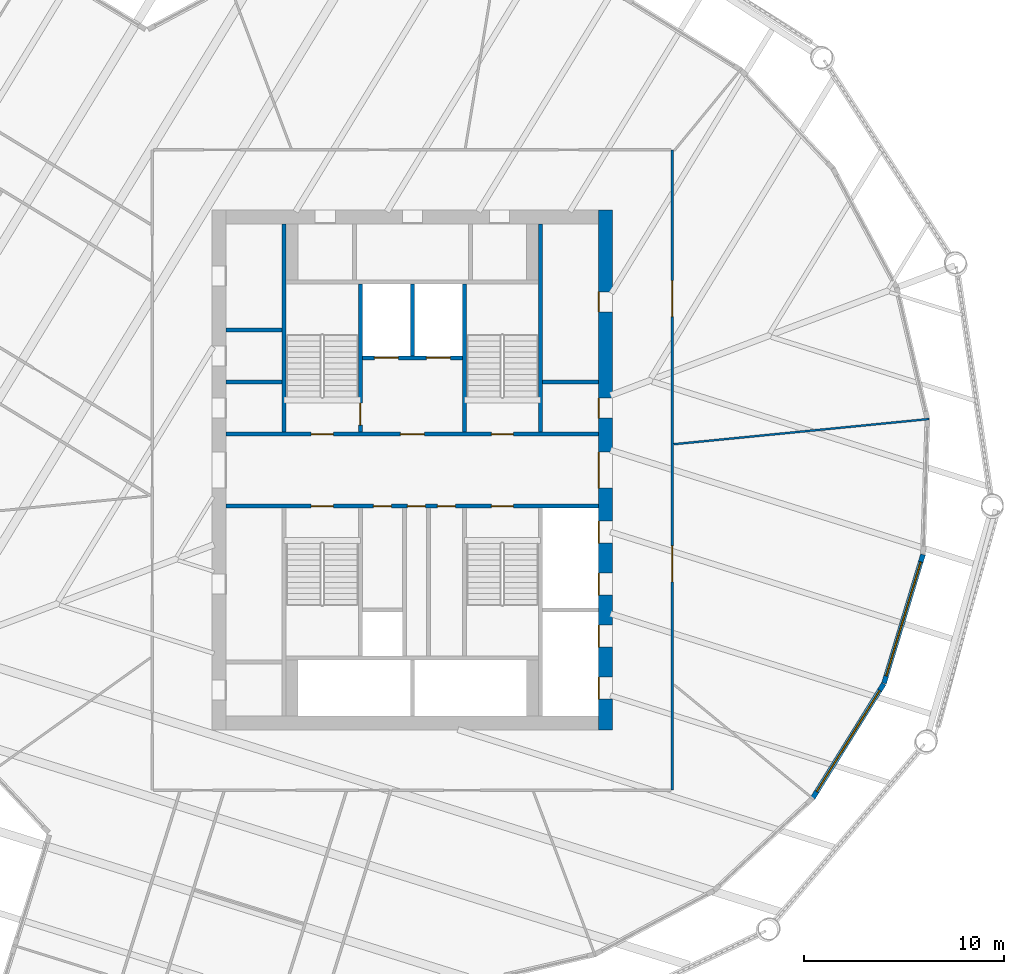
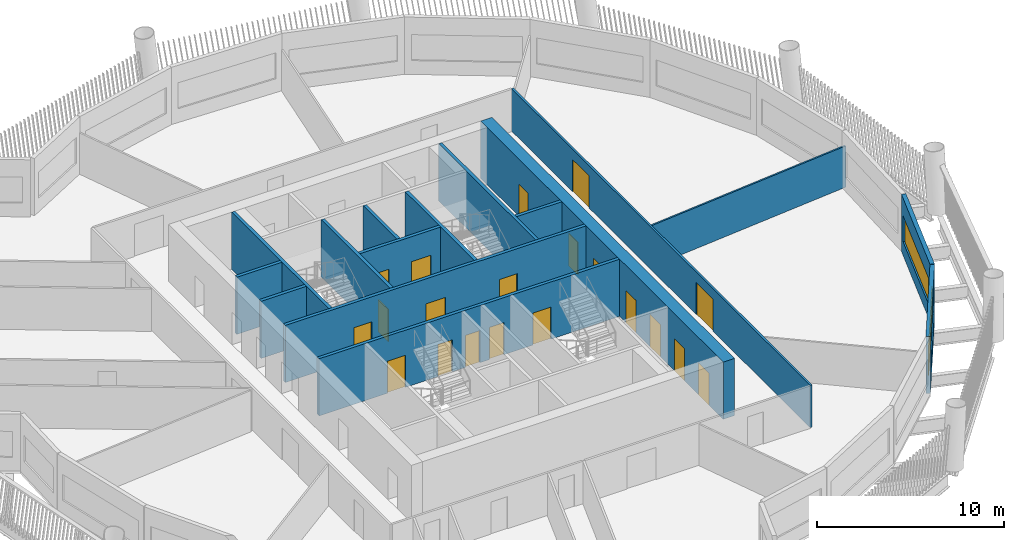
# One storey, part 5 of 15: 20 doors, 16 walls, 2 windows, 22 openings.
"""IFC4 building model written with IfcOpenShell, lengths in metres."""

from ifc_helpers import new_model, si_unit, direction, frame, frame_2d, origin, place, context, subcontext, project, spatial, rectangle, extrude, material, layer, layer_set, type_object, element, fill, save


model = new_model("IFC4")

# Units and contexts
model_context = context("Model", 3, precision=1e-05, world=origin(), true_north=direction((0.0, 1.0)))
body_context = subcontext(model_context, "Body", "Model", "MODEL_VIEW")
ifc_project = project(units=[si_unit("LENGTHUNIT", "METRE"), si_unit("AREAUNIT", "SQUARE_METRE"), si_unit("VOLUMEUNIT", "CUBIC_METRE"), si_unit("PLANEANGLEUNIT", "RADIAN"), si_unit("MASSUNIT", "GRAM", prefix="KILO")], contexts=[model_context])

# Site, building, storey
site_placement = place(None, origin())
site = spatial("IfcSite", under=ifc_project, at=site_placement, CompositionType="ELEMENT")
building_placement = place(site_placement, origin())
building = spatial("IfcBuilding", under=site, at=building_placement, Name="Tarsis Ring Headquarters", CompositionType="ELEMENT")
storey_placement = place(building_placement, frame((0.0, 0.0, 151.5)))
storey = spatial("IfcBuildingStorey", under=building, at=storey_placement, Name="L34", CompositionType="ELEMENT", Elevation=151.5)

# Walls
ifc_material_1 = material(Name="Blockwork", Category="masonry")
ifc_layer_1 = layer(ifc_material_1, 0.199951171875)
ifc_layer_set_1 = layer_set([ifc_layer_1], Name="Core blockwork wall 200")
wall_type_1 = type_object("IfcWallType", Name="Core blockwork wall 200", PredefinedType="PARTITIONING", material=ifc_layer_set_1)
for number, where, z_axis, x_axis, name in (
    (1, (-9.300048828125, 4.39990234375, 0.0), (0.0, 0.0, 1.0), (1.0, 0.0, 0.0), "Core partition WD5"),
    (2, (-9.300048828125, 7.0, 0.0), (0.0, 0.0, 1.0), (1.0, 0.0, 0.0), "Core partition WD6"),
    (3, (6.5, 4.39990234375, 0.0), (0.0, 0.0, 1.0), (1.0, 0.0, 0.0), "Core partition ED5"),
):
    element("IfcWall", number, at=place(storey_placement, frame(where, z_axis=z_axis, x_axis=x_axis)), inside=storey, type_object=wall_type_1, Name=name, PredefinedType="PARTITIONING", context=body_context, shape_type="SweptSolid", body=[
        extrude(rectangle(XDim=2.800048828125, YDim=0.199951171875, at=frame_2d((1.39990234375, 0.0))), origin(), (0.0, 0.0, 1.0), 3.739990234375),
    ])

# Wall, openings, doors
ifc_material_2 = material(Name="Concrete C60/75", Category="concrete")
ifc_layer_2 = layer(ifc_material_2, 0.699951171875)
ifc_layer_set_2 = layer_set([ifc_layer_2], Name="Core wall 700 C60/75")
wall_type_2 = type_object("IfcWallType", Name="Core wall 700 C60/75", PredefinedType="SHEAR", material=ifc_layer_set_2)
wall_1_placement = place(storey_placement, frame((9.64990234375, -13.0, 0.0), z_axis=(0.0, 0.0, 1.0), x_axis=(0.0, 1.0, 0.0)))
wall_1 = element("IfcWall", 4, at=wall_1_placement, inside=storey, type_object=wall_type_2, Name="Core wall OE", PredefinedType="SHEAR", context=body_context, shape_type="SweptSolid", body=[
    extrude(rectangle(XDim=26.0, YDim=0.699951171875, at=frame_2d((13.0, 0.0))), origin(), (0.0, 0.0, 1.0), 3.739990234375),
])
opening_1_placement = place(wall_1_placement, frame((1.550048828125, 0.0, 0.0)))
opening_1 = element("IfcOpeningElement", 5, at=opening_1_placement, cuts=wall_1, Name="Opening LD-MR1", PredefinedType="OPENING", context=body_context, shape_type="SweptSolid", body=[
    extrude(rectangle(XDim=1.10009765625, YDim=2.10009765625, at=frame_2d((0.550048828125, 1.050048828125))), frame((0.0, 0.35986328125, 0.0), z_axis=(0.0, -1.0, 0.0), x_axis=(1.0, 0.0, 0.0)), (0.0, 0.0, 1.0), 0.719970703125),
])
opening_2_placement = place(wall_1_placement, frame((4.14990234375, 0.0, 0.0)))
opening_2 = element("IfcOpeningElement", 6, at=opening_2_placement, cuts=wall_1, Name="Opening LD-MR2", PredefinedType="OPENING", context=body_context, shape_type="SweptSolid", body=[
    extrude(rectangle(XDim=1.10009765625, YDim=2.10009765625, at=frame_2d((0.550048828125, 1.050048828125))), frame((0.0, 0.35986328125, 0.0), z_axis=(0.0, -1.0, 0.0), x_axis=(1.0, 0.0, 0.0)), (0.0, 0.0, 1.0), 0.719970703125),
])
opening_3_placement = place(wall_1_placement, frame((6.75, 0.0, 0.0)))
opening_3 = element("IfcOpeningElement", 7, at=opening_3_placement, cuts=wall_1, Name="Opening LD-MR3", PredefinedType="OPENING", context=body_context, shape_type="SweptSolid", body=[
    extrude(rectangle(XDim=1.10009765625, YDim=2.10009765625, at=frame_2d((0.550048828125, 1.050048828125))), frame((0.0, 0.35986328125, 0.0), z_axis=(0.0, -1.0, 0.0), x_axis=(1.0, 0.0, 0.0)), (0.0, 0.0, 1.0), 0.719970703125),
])
opening_4_placement = place(wall_1_placement, frame((9.35009765625, 0.0, 0.0)))
opening_4 = element("IfcOpeningElement", 8, at=opening_4_placement, cuts=wall_1, Name="Opening LD-MR4", PredefinedType="OPENING", context=body_context, shape_type="SweptSolid", body=[
    extrude(rectangle(XDim=1.10009765625, YDim=2.10009765625, at=frame_2d((0.550048828125, 1.050048828125))), frame((0.0, 0.35986328125, 0.0), z_axis=(0.0, -1.0, 0.0), x_axis=(1.0, 0.0, 0.0)), (0.0, 0.0, 1.0), 0.719970703125),
])
opening_5_placement = place(wall_1_placement, frame((12.10009765625, 0.0, 0.0)))
opening_5 = element("IfcOpeningElement", 9, at=opening_5_placement, cuts=wall_1, Name="Opening L34-C11", PredefinedType="OPENING", context=body_context, shape_type="SweptSolid", body=[
    extrude(rectangle(XDim=1.800048828125, YDim=2.10009765625, at=frame_2d((0.89990234375, 1.050048828125))), frame((0.0, 0.35986328125, 0.0), z_axis=(0.0, -1.0, 0.0), x_axis=(1.0, 0.0, 0.0)), (0.0, 0.0, 1.0), 0.719970703125),
])
opening_6_placement = place(wall_1_placement, frame((15.60009765625, 0.0, 0.0)))
opening_6 = element("IfcOpeningElement", 10, at=opening_6_placement, cuts=wall_1, Name="Opening L34-C12", PredefinedType="OPENING", context=body_context, shape_type="SweptSolid", body=[
    extrude(rectangle(XDim=1.0, YDim=2.10009765625, at=frame_2d((0.5, 1.050048828125))), frame((0.0, 0.35986328125, 0.0), z_axis=(0.0, -1.0, 0.0), x_axis=(1.0, 0.0, 0.0)), (0.0, 0.0, 1.0), 0.719970703125),
])
opening_7_placement = place(wall_1_placement, frame((20.89990234375, 0.0, 0.0)))
opening_7 = element("IfcOpeningElement", 11, at=opening_7_placement, cuts=wall_1, Name="Opening L34-C13", PredefinedType="OPENING", context=body_context, shape_type="SweptSolid", body=[
    extrude(rectangle(XDim=1.0, YDim=2.10009765625, at=frame_2d((0.5, 1.050048828125))), frame((0.0, 0.35986328125, 0.0), z_axis=(0.0, -1.0, 0.0), x_axis=(1.0, 0.0, 0.0)), (0.0, 0.0, 1.0), 0.719970703125),
])
ifc_material_3 = material(Name="Steel S355", Category="steel")
door_type_1 = type_object("IfcDoorType", Name="Core entry door 1800x2100", OperationType="DOUBLE_DOOR_SINGLE_SWING", PredefinedType="DOOR", material=ifc_material_3)
door_1_placement = place(opening_5_placement, origin())
door_1 = element("IfcDoor", 12, at=door_1_placement, inside=storey, type_object=door_type_1, Name="Core entry door L34", OperationType="DOUBLE_DOOR_SINGLE_SWING", OverallHeight=2.10009765625, OverallWidth=1.800048828125, PredefinedType="DOOR", context=body_context, shape_type="SweptSolid", body=[
    extrude(rectangle(XDim=1.800048828125, YDim=2.10009765625, at=frame_2d((0.89990234375, 1.050048828125))), frame((0.0, 0.35009765625, 0.0), z_axis=(0.0, -1.0, 0.0), x_axis=(1.0, 0.0, 0.0)), (0.0, 0.0, 1.0), 0.050048828125),
])
fill(opening_5, door_1)
door_type_2 = type_object("IfcDoorType", Name="Core room door 1000x2100", OperationType="SINGLE_SWING_LEFT", PredefinedType="DOOR", material=ifc_material_3)
door_2_placement = place(opening_6_placement, origin())
door_2 = element("IfcDoor", 13, at=door_2_placement, inside=storey, type_object=door_type_2, Name="Core room door L34", OperationType="SINGLE_SWING_LEFT", OverallHeight=2.10009765625, OverallWidth=1.0, PredefinedType="DOOR", context=body_context, shape_type="SweptSolid", body=[
    extrude(rectangle(XDim=1.0, YDim=2.10009765625, at=frame_2d((0.5, 1.050048828125))), frame((0.0, 0.35009765625, 0.0), z_axis=(0.0, -1.0, 0.0), x_axis=(1.0, 0.0, 0.0)), (0.0, 0.0, 1.0), 0.050048828125),
])
fill(opening_6, door_2)
door_3_placement = place(opening_7_placement, origin())
door_3 = element("IfcDoor", 14, at=door_3_placement, inside=storey, type_object=door_type_2, Name="Core room door L34", OperationType="SINGLE_SWING_LEFT", OverallHeight=2.10009765625, OverallWidth=1.0, PredefinedType="DOOR", context=body_context, shape_type="SweptSolid", body=[
    extrude(rectangle(XDim=1.0, YDim=2.10009765625, at=frame_2d((0.5, 1.050048828125))), frame((0.0, 0.35009765625, 0.0), z_axis=(0.0, -1.0, 0.0), x_axis=(1.0, 0.0, 0.0)), (0.0, 0.0, 1.0), 0.050048828125),
])
fill(opening_7, door_3)
door_type_3 = type_object("IfcDoorType", Name="Landing door 1100x2100", OperationType="SLIDING_TO_LEFT", PredefinedType="DOOR", material=ifc_material_3)
door_4_placement = place(opening_1_placement, origin())
door_4 = element("IfcDoor", 15, at=door_4_placement, inside=storey, type_object=door_type_3, Name="Landing door MR1 L34", OperationType="SLIDING_TO_LEFT", OverallHeight=2.10009765625, OverallWidth=1.10009765625, PredefinedType="DOOR", context=body_context, shape_type="SweptSolid", body=[
    extrude(rectangle(XDim=1.10009765625, YDim=2.10009765625, at=frame_2d((0.550048828125, 1.050048828125))), frame((0.0, 0.35009765625, 0.0), z_axis=(0.0, -1.0, 0.0), x_axis=(1.0, 0.0, 0.0)), (0.0, 0.0, 1.0), 0.050048828125),
])
fill(opening_1, door_4)
door_5_placement = place(opening_2_placement, origin())
door_5 = element("IfcDoor", 16, at=door_5_placement, inside=storey, type_object=door_type_3, Name="Landing door MR2 L34", OperationType="SLIDING_TO_LEFT", OverallHeight=2.10009765625, OverallWidth=1.10009765625, PredefinedType="DOOR", context=body_context, shape_type="SweptSolid", body=[
    extrude(rectangle(XDim=1.10009765625, YDim=2.10009765625, at=frame_2d((0.550048828125, 1.050048828125))), frame((0.0, 0.35009765625, 0.0), z_axis=(0.0, -1.0, 0.0), x_axis=(1.0, 0.0, 0.0)), (0.0, 0.0, 1.0), 0.050048828125),
])
fill(opening_2, door_5)
door_6_placement = place(opening_3_placement, origin())
door_6 = element("IfcDoor", 17, at=door_6_placement, inside=storey, type_object=door_type_3, Name="Landing door MR3 L34", OperationType="SLIDING_TO_LEFT", OverallHeight=2.10009765625, OverallWidth=1.10009765625, PredefinedType="DOOR", context=body_context, shape_type="SweptSolid", body=[
    extrude(rectangle(XDim=1.10009765625, YDim=2.10009765625, at=frame_2d((0.550048828125, 1.050048828125))), frame((0.0, 0.35009765625, 0.0), z_axis=(0.0, -1.0, 0.0), x_axis=(1.0, 0.0, 0.0)), (0.0, 0.0, 1.0), 0.050048828125),
])
fill(opening_3, door_6)
door_7_placement = place(opening_4_placement, origin())
door_7 = element("IfcDoor", 18, at=door_7_placement, inside=storey, type_object=door_type_3, Name="Landing door MR4 L34", OperationType="SLIDING_TO_LEFT", OverallHeight=2.10009765625, OverallWidth=1.10009765625, PredefinedType="DOOR", context=body_context, shape_type="SweptSolid", body=[
    extrude(rectangle(XDim=1.10009765625, YDim=2.10009765625, at=frame_2d((0.550048828125, 1.050048828125))), frame((0.0, 0.35009765625, 0.0), z_axis=(0.0, -1.0, 0.0), x_axis=(1.0, 0.0, 0.0)), (0.0, 0.0, 1.0), 0.050048828125),
])
fill(opening_4, door_7)

# Wall
ifc_material_4 = material(Name="Gypsum board on steel studs", Category="steel")
ifc_layer_3 = layer(ifc_material_4, 0.10009765625)
ifc_layer_set_3 = layer_set([ifc_layer_3], Name="FL partition 100 unrated")
wall_type_3 = type_object("IfcWallType", Name="FL partition 100 unrated", PredefinedType="PARTITIONING", material=ifc_layer_set_3)
wall_2_placement = place(storey_placement, frame((13.069580078125, 1.290771484375, 0.0), z_axis=(0.0, 0.0, 1.0), x_axis=(0.995159975555, 0.098268118195, 0.0)))
element("IfcWall", 19, at=wall_2_placement, inside=storey, type_object=wall_type_3, Name="Partition PW3", PredefinedType="PARTITIONING", context=body_context, shape_type="SweptSolid", body=[
    extrude(rectangle(XDim=12.814697265625, YDim=0.10009765625, at=frame_2d((6.4072265625, 0.0))), origin(), (0.0, 0.0, 1.0), 2.699951171875),
])

# Wall, openings, doors
ifc_layer_4 = layer(ifc_material_4, 0.125)
ifc_layer_set_4 = layer_set([ifc_layer_4], Name="FL partition 125 EI 60 H2770")
wall_type_4 = type_object("IfcWallType", Name="FL partition 125 EI 60 H2770", PredefinedType="PARTITIONING", material=ifc_layer_set_4)
wall_3_placement = place(storey_placement, frame((13.0, -16.0, 0.0), z_axis=(0.0, 0.0, 1.0), x_axis=(0.0, 1.0, 0.0)))
wall_3 = element("IfcWall", 20, at=wall_3_placement, inside=storey, type_object=wall_type_4, Name="Partition PW1", PredefinedType="PARTITIONING", context=body_context, shape_type="SweptSolid", body=[
    extrude(rectangle(XDim=32.0, YDim=0.125, at=frame_2d((16.0, 0.0))), origin(), (0.0, 0.0, 1.0), 2.77001953125),
])
opening_8_placement = place(wall_3_placement, frame((23.66650390625, 0.0, 0.0)))
opening_8 = element("IfcOpeningElement", 21, at=opening_8_placement, cuts=wall_3, Name="Opening D34.06", PredefinedType="OPENING", context=body_context, shape_type="SweptSolid", body=[
    extrude(rectangle(XDim=1.800048828125, YDim=2.10009765625, at=frame_2d((0.89990234375, 1.050048828125))), frame((0.0, 0.072509765625, 0.0), z_axis=(0.0, -1.0, 0.0), x_axis=(1.0, 0.0, 0.0)), (0.0, 0.0, 1.0), 0.14501953125),
])
opening_9_placement = place(wall_3_placement, frame((10.410400390625, 0.0, 0.0)))
opening_9 = element("IfcOpeningElement", 22, at=opening_9_placement, cuts=wall_3, Name="Opening D34.07", PredefinedType="OPENING", context=body_context, shape_type="SweptSolid", body=[
    extrude(rectangle(XDim=1.800048828125, YDim=2.10009765625, at=frame_2d((0.89990234375, 1.050048828125))), frame((0.0, 0.072509765625, 0.0), z_axis=(0.0, -1.0, 0.0), x_axis=(1.0, 0.0, 0.0)), (0.0, 0.0, 1.0), 0.14501953125),
])
ifc_material_5 = material(Name="Fire-rated timber door leaf in steel frame", Category="steel")
door_type_4 = type_object("IfcDoorType", Name="FL door FD60-1800", OperationType="DOUBLE_DOOR_SINGLE_SWING", PredefinedType="DOOR", material=ifc_material_5)
door_8_placement = place(opening_8_placement, origin())
door_8 = element("IfcDoor", 23, at=door_8_placement, inside=storey, type_object=door_type_4, Name="Door D34.06", OperationType="DOUBLE_DOOR_SINGLE_SWING", OverallHeight=2.10009765625, OverallWidth=1.800048828125, PredefinedType="DOOR", context=body_context, shape_type="SweptSolid", body=[
    extrude(rectangle(XDim=1.800048828125, YDim=2.10009765625, at=frame_2d((0.89990234375, 1.050048828125))), frame((0.0, 0.02490234375, 0.0), z_axis=(0.0, -1.0, 0.0), x_axis=(1.0, 0.0, 0.0)), (0.0, 0.0, 1.0), 0.050048828125),
])
fill(opening_8, door_8)
door_9_placement = place(opening_9_placement, origin())
door_9 = element("IfcDoor", 24, at=door_9_placement, inside=storey, type_object=door_type_4, Name="Door D34.07", OperationType="DOUBLE_DOOR_SINGLE_SWING", OverallHeight=2.10009765625, OverallWidth=1.800048828125, PredefinedType="DOOR", context=body_context, shape_type="SweptSolid", body=[
    extrude(rectangle(XDim=1.800048828125, YDim=2.10009765625, at=frame_2d((0.89990234375, 1.050048828125))), frame((0.0, 0.02490234375, 0.0), z_axis=(0.0, -1.0, 0.0), x_axis=(1.0, 0.0, 0.0)), (0.0, 0.0, 1.0), 0.050048828125),
])
fill(opening_9, door_9)

# Wall, opening, window
ifc_material_6 = material(Name="Terracotta clad insulated panel wall", Category="masonry")
ifc_layer_5 = layer(ifc_material_6, 0.25)
ifc_layer_set_5 = layer_set([ifc_layer_5], Name="Facade wall terracotta panel 250")
wall_type_5 = type_object("IfcWallType", Name="Facade wall terracotta panel 250", PredefinedType="STANDARD", material=ifc_layer_set_5)
wall_4_placement = place(storey_placement, frame((20.013916015625, -16.39501953125, 0.0), z_axis=(0.0, 0.0, 1.0), x_axis=(0.527829323363, 0.849350460881, 0.0)))
wall_4 = element("IfcWall", 25, at=wall_4_placement, inside=storey, type_object=wall_type_5, Name="External wall L34-20", PredefinedType="STANDARD", context=body_context, shape_type="SweptSolid", body=[
    extrude(rectangle(XDim=6.7216796875, YDim=0.25, at=frame_2d((3.36083984375, 0.0))), origin(), (0.0, 0.0, 1.0), 3.739990234375),
])
opening_10_placement = place(wall_4_placement, frame((0.3857421875, 0.0, 0.89990234375)))
opening_10 = element("IfcOpeningElement", 26, at=opening_10_placement, cuts=wall_4, Name="Opening WN07", PredefinedType="OPENING", context=body_context, shape_type="SweptSolid", body=[
    extrude(rectangle(XDim=5.949951171875, YDim=1.699951171875, at=frame_2d((2.97509765625, 0.85009765625))), frame((0.0, 0.135009765625, 0.0), z_axis=(0.0, -1.0, 0.0), x_axis=(1.0, 0.0, 0.0)), (0.0, 0.0, 1.0), 0.27001953125),
])
ifc_material_7 = material(Name="Aluminium framed double glazing", Category="aluminium")
window_type = type_object("IfcWindowType", Name="Facade window 5950 x 1700", PartitioningType="SINGLE_PANEL", PredefinedType="WINDOW", material=ifc_material_7)
window_1_placement = place(opening_10_placement, origin())
window_1 = element("IfcWindow", 27, at=window_1_placement, inside=storey, type_object=window_type, Name="Window L34-20.1", OverallHeight=1.699951171875, OverallWidth=5.949951171875, PartitioningType="SINGLE_PANEL", PredefinedType="WINDOW", context=body_context, shape_type="SweptSolid", body=[
    extrude(rectangle(XDim=5.949951171875, YDim=1.699951171875, at=frame_2d((2.97509765625, 0.85009765625))), frame((0.0, 0.030029296875, 0.0), z_axis=(0.0, -1.0, 0.0), x_axis=(1.0, 0.0, 0.0)), (0.0, 0.0, 1.0), 0.06005859375),
])
fill(opening_10, window_1)

wall_5_placement = place(storey_placement, frame((23.5751953125, -10.656494140625, 0.0), z_axis=(0.0, 0.0, 1.0), x_axis=(0.290032597703, 0.957016766974, 0.0)))
wall_5 = element("IfcWall", 28, at=wall_5_placement, inside=storey, type_object=wall_type_5, Name="External wall L34-21", PredefinedType="STANDARD", context=body_context, shape_type="SweptSolid", body=[
    extrude(rectangle(XDim=6.721435546875, YDim=0.25, at=frame_2d((3.36083984375, 0.0))), origin(), (0.0, 0.0, 1.0), 3.739990234375),
])
opening_11_placement = place(wall_5_placement, frame((0.3857421875, 0.0, 0.89990234375)))
opening_11 = element("IfcOpeningElement", 29, at=opening_11_placement, cuts=wall_5, Name="Opening WN07", PredefinedType="OPENING", context=body_context, shape_type="SweptSolid", body=[
    extrude(rectangle(XDim=5.949951171875, YDim=1.699951171875, at=frame_2d((2.97509765625, 0.85009765625))), frame((0.0, 0.135009765625, 0.0), z_axis=(0.0, -1.0, 0.0), x_axis=(1.0, 0.0, 0.0)), (0.0, 0.0, 1.0), 0.27001953125),
])
window_2_placement = place(opening_11_placement, origin())
window_2 = element("IfcWindow", 30, at=window_2_placement, inside=storey, type_object=window_type, Name="Window L34-21.1", OverallHeight=1.699951171875, OverallWidth=5.949951171875, PartitioningType="SINGLE_PANEL", PredefinedType="WINDOW", context=body_context, shape_type="SweptSolid", body=[
    extrude(rectangle(XDim=5.949951171875, YDim=1.699951171875, at=frame_2d((2.97509765625, 0.85009765625))), frame((0.0, 0.030029296875, 0.0), z_axis=(0.0, -1.0, 0.0), x_axis=(1.0, 0.0, 0.0)), (0.0, 0.0, 1.0), 0.06005859375),
])
fill(opening_11, window_2)

# Wall, openings, doors
ifc_material_8 = material(Name="Concrete C32/40", Category="concrete")
ifc_layer_6 = layer(ifc_material_8, 0.199951171875)
ifc_layer_set_6 = layer_set([ifc_layer_6], Name="Shaft wall 200 C32/40")
wall_type_6 = type_object("IfcWallType", Name="Shaft wall 200 C32/40", PredefinedType="SOLIDWALL", material=ifc_layer_set_6)
wall_6_placement = place(storey_placement, frame((-9.300048828125, 1.800048828125, 0.0), z_axis=(0.0, 0.0, 1.0), x_axis=(1.0, 0.0, 0.0)))
wall_6 = element("IfcWall", 31, at=wall_6_placement, inside=storey, type_object=wall_type_6, Name="Core shaft wall CN", PredefinedType="SOLIDWALL", context=body_context, shape_type="SweptSolid", body=[
    extrude(rectangle(XDim=18.60009765625, YDim=0.199951171875, at=frame_2d((9.300048828125, 0.0))), origin(), (0.0, 0.0, 1.0), 3.739990234375),
])
opening_12_placement = place(wall_6_placement, frame((4.25, 0.0, 0.0)))
opening_12 = element("IfcOpeningElement", 32, at=opening_12_placement, cuts=wall_6, Name="Opening L34-C17", PredefinedType="OPENING", context=body_context, shape_type="SweptSolid", body=[
    extrude(rectangle(XDim=1.10009765625, YDim=2.10009765625, at=frame_2d((0.550048828125, 1.050048828125))), frame((0.0, 0.10986328125, 0.0), z_axis=(0.0, -1.0, 0.0), x_axis=(1.0, 0.0, 0.0)), (0.0, 0.0, 1.0), 0.219970703125),
])
opening_13_placement = place(wall_6_placement, frame((8.699951171875, 0.0, 0.0)))
opening_13 = element("IfcOpeningElement", 33, at=opening_13_placement, cuts=wall_6, Name="Opening L34-C18", PredefinedType="OPENING", context=body_context, shape_type="SweptSolid", body=[
    extrude(rectangle(XDim=1.199951171875, YDim=2.10009765625, at=frame_2d((0.60009765625, 1.050048828125))), frame((0.0, 0.10986328125, 0.0), z_axis=(0.0, -1.0, 0.0), x_axis=(1.0, 0.0, 0.0)), (0.0, 0.0, 1.0), 0.219970703125),
])
opening_14_placement = place(wall_6_placement, frame((13.25, 0.0, 0.0)))
opening_14 = element("IfcOpeningElement", 34, at=opening_14_placement, cuts=wall_6, Name="Opening L34-C19", PredefinedType="OPENING", context=body_context, shape_type="SweptSolid", body=[
    extrude(rectangle(XDim=1.10009765625, YDim=2.10009765625, at=frame_2d((0.550048828125, 1.050048828125))), frame((0.0, 0.10986328125, 0.0), z_axis=(0.0, -1.0, 0.0), x_axis=(1.0, 0.0, 0.0)), (0.0, 0.0, 1.0), 0.219970703125),
])
door_type_5 = type_object("IfcDoorType", Name="Firefighting lobby door 1200x2100", OperationType="DOUBLE_DOOR_SINGLE_SWING", PredefinedType="DOOR", material=ifc_material_3)
door_10_placement = place(opening_13_placement, origin())
door_10 = element("IfcDoor", 35, at=door_10_placement, inside=storey, type_object=door_type_5, Name="Firefighting lobby door L34", OperationType="DOUBLE_DOOR_SINGLE_SWING", OverallHeight=2.10009765625, OverallWidth=1.199951171875, PredefinedType="DOOR", context=body_context, shape_type="SweptSolid", body=[
    extrude(rectangle(XDim=1.199951171875, YDim=2.10009765625, at=frame_2d((0.60009765625, 1.050048828125))), frame((0.0, 0.02490234375, 0.0), z_axis=(0.0, -1.0, 0.0), x_axis=(1.0, 0.0, 0.0)), (0.0, 0.0, 1.0), 0.050048828125),
])
fill(opening_13, door_10)
door_type_6 = type_object("IfcDoorType", Name="Stair door 1100x2100", OperationType="SINGLE_SWING_LEFT", PredefinedType="DOOR", material=ifc_material_3)
door_11_placement = place(opening_12_placement, origin())
door_11 = element("IfcDoor", 36, at=door_11_placement, inside=storey, type_object=door_type_6, Name="Stair door L34", OperationType="SINGLE_SWING_LEFT", OverallHeight=2.10009765625, OverallWidth=1.10009765625, PredefinedType="DOOR", context=body_context, shape_type="SweptSolid", body=[
    extrude(rectangle(XDim=1.10009765625, YDim=2.10009765625, at=frame_2d((0.550048828125, 1.050048828125))), frame((0.0, 0.02490234375, 0.0), z_axis=(0.0, -1.0, 0.0), x_axis=(1.0, 0.0, 0.0)), (0.0, 0.0, 1.0), 0.050048828125),
])
fill(opening_12, door_11)
door_12_placement = place(opening_14_placement, origin())
door_12 = element("IfcDoor", 37, at=door_12_placement, inside=storey, type_object=door_type_6, Name="Stair door L34", OperationType="SINGLE_SWING_LEFT", OverallHeight=2.10009765625, OverallWidth=1.10009765625, PredefinedType="DOOR", context=body_context, shape_type="SweptSolid", body=[
    extrude(rectangle(XDim=1.10009765625, YDim=2.10009765625, at=frame_2d((0.550048828125, 1.050048828125))), frame((0.0, 0.02490234375, 0.0), z_axis=(0.0, -1.0, 0.0), x_axis=(1.0, 0.0, 0.0)), (0.0, 0.0, 1.0), 0.050048828125),
])
fill(opening_14, door_12)

wall_7_placement = place(storey_placement, frame((-9.300048828125, -1.800048828125, 0.0), z_axis=(0.0, 0.0, 1.0), x_axis=(1.0, 0.0, 0.0)))
wall_7 = element("IfcWall", 38, at=wall_7_placement, inside=storey, type_object=wall_type_6, Name="Core shaft wall CS", PredefinedType="SOLIDWALL", context=body_context, shape_type="SweptSolid", body=[
    extrude(rectangle(XDim=18.60009765625, YDim=0.199951171875, at=frame_2d((9.300048828125, 0.0))), origin(), (0.0, 0.0, 1.0), 3.739990234375),
])
opening_15_placement = place(wall_7_placement, frame((4.25, 0.0, 0.0)))
opening_15 = element("IfcOpeningElement", 39, at=opening_15_placement, cuts=wall_7, Name="Opening L34-C20", PredefinedType="OPENING", context=body_context, shape_type="SweptSolid", body=[
    extrude(rectangle(XDim=1.10009765625, YDim=2.10009765625, at=frame_2d((0.550048828125, 1.050048828125))), frame((0.0, 0.10986328125, 0.0), z_axis=(0.0, -1.0, 0.0), x_axis=(1.0, 0.0, 0.0)), (0.0, 0.0, 1.0), 0.219970703125),
])
opening_16_placement = place(wall_7_placement, frame((7.35009765625, 0.0, 0.0)))
opening_16 = element("IfcOpeningElement", 40, at=opening_16_placement, cuts=wall_7, Name="Opening L34-C21", PredefinedType="OPENING", context=body_context, shape_type="SweptSolid", body=[
    extrude(rectangle(XDim=0.89990234375, YDim=2.10009765625, at=frame_2d((0.449951171875, 1.050048828125))), frame((0.0, 0.10986328125, 0.0), z_axis=(0.0, -1.0, 0.0), x_axis=(1.0, 0.0, 0.0)), (0.0, 0.0, 1.0), 0.219970703125),
])
opening_17_placement = place(wall_7_placement, frame((9.050048828125, 0.0, 0.0)))
opening_17 = element("IfcOpeningElement", 41, at=opening_17_placement, cuts=wall_7, Name="Opening L34-C22", PredefinedType="OPENING", context=body_context, shape_type="SweptSolid", body=[
    extrude(rectangle(XDim=0.89990234375, YDim=2.10009765625, at=frame_2d((0.449951171875, 1.050048828125))), frame((0.0, 0.10986328125, 0.0), z_axis=(0.0, -1.0, 0.0), x_axis=(1.0, 0.0, 0.0)), (0.0, 0.0, 1.0), 0.219970703125),
])
opening_18_placement = place(wall_7_placement, frame((10.550048828125, 0.0, 0.0)))
opening_18 = element("IfcOpeningElement", 42, at=opening_18_placement, cuts=wall_7, Name="Opening L34-C23", PredefinedType="OPENING", context=body_context, shape_type="SweptSolid", body=[
    extrude(rectangle(XDim=0.89990234375, YDim=2.10009765625, at=frame_2d((0.449951171875, 1.050048828125))), frame((0.0, 0.10986328125, 0.0), z_axis=(0.0, -1.0, 0.0), x_axis=(1.0, 0.0, 0.0)), (0.0, 0.0, 1.0), 0.219970703125),
])
opening_19_placement = place(wall_7_placement, frame((13.25, 0.0, 0.0)))
opening_19 = element("IfcOpeningElement", 43, at=opening_19_placement, cuts=wall_7, Name="Opening L34-C24", PredefinedType="OPENING", context=body_context, shape_type="SweptSolid", body=[
    extrude(rectangle(XDim=1.10009765625, YDim=2.10009765625, at=frame_2d((0.550048828125, 1.050048828125))), frame((0.0, 0.10986328125, 0.0), z_axis=(0.0, -1.0, 0.0), x_axis=(1.0, 0.0, 0.0)), (0.0, 0.0, 1.0), 0.219970703125),
])
door_13_placement = place(opening_15_placement, origin())
door_13 = element("IfcDoor", 44, at=door_13_placement, inside=storey, type_object=door_type_6, Name="Stair door L34", OperationType="SINGLE_SWING_LEFT", OverallHeight=2.10009765625, OverallWidth=1.10009765625, PredefinedType="DOOR", context=body_context, shape_type="SweptSolid", body=[
    extrude(rectangle(XDim=1.10009765625, YDim=2.10009765625, at=frame_2d((0.550048828125, 1.050048828125))), frame((0.0, 0.02490234375, 0.0), z_axis=(0.0, -1.0, 0.0), x_axis=(1.0, 0.0, 0.0)), (0.0, 0.0, 1.0), 0.050048828125),
])
fill(opening_15, door_13)
door_14_placement = place(opening_19_placement, origin())
door_14 = element("IfcDoor", 45, at=door_14_placement, inside=storey, type_object=door_type_6, Name="Stair door L34", OperationType="SINGLE_SWING_LEFT", OverallHeight=2.10009765625, OverallWidth=1.10009765625, PredefinedType="DOOR", context=body_context, shape_type="SweptSolid", body=[
    extrude(rectangle(XDim=1.10009765625, YDim=2.10009765625, at=frame_2d((0.550048828125, 1.050048828125))), frame((0.0, 0.02490234375, 0.0), z_axis=(0.0, -1.0, 0.0), x_axis=(1.0, 0.0, 0.0)), (0.0, 0.0, 1.0), 0.050048828125),
])
fill(opening_19, door_14)
door_type_7 = type_object("IfcDoorType", Name="WC door 900x2100", OperationType="SINGLE_SWING_LEFT", PredefinedType="DOOR", material=ifc_material_3)
door_15_placement = place(opening_16_placement, origin())
door_15 = element("IfcDoor", 46, at=door_15_placement, inside=storey, type_object=door_type_7, Name="WC door L34", OperationType="SINGLE_SWING_LEFT", OverallHeight=2.10009765625, OverallWidth=0.89990234375, PredefinedType="DOOR", context=body_context, shape_type="SweptSolid", body=[
    extrude(rectangle(XDim=0.89990234375, YDim=2.10009765625, at=frame_2d((0.449951171875, 1.050048828125))), frame((0.0, 0.02490234375, 0.0), z_axis=(0.0, -1.0, 0.0), x_axis=(1.0, 0.0, 0.0)), (0.0, 0.0, 1.0), 0.050048828125),
])
fill(opening_16, door_15)
door_16_placement = place(opening_17_placement, origin())
door_16 = element("IfcDoor", 47, at=door_16_placement, inside=storey, type_object=door_type_7, Name="WC door L34", OperationType="SINGLE_SWING_LEFT", OverallHeight=2.10009765625, OverallWidth=0.89990234375, PredefinedType="DOOR", context=body_context, shape_type="SweptSolid", body=[
    extrude(rectangle(XDim=0.89990234375, YDim=2.10009765625, at=frame_2d((0.449951171875, 1.050048828125))), frame((0.0, 0.02490234375, 0.0), z_axis=(0.0, -1.0, 0.0), x_axis=(1.0, 0.0, 0.0)), (0.0, 0.0, 1.0), 0.050048828125),
])
fill(opening_17, door_16)
door_17_placement = place(opening_18_placement, origin())
door_17 = element("IfcDoor", 48, at=door_17_placement, inside=storey, type_object=door_type_7, Name="WC door L34", OperationType="SINGLE_SWING_LEFT", OverallHeight=2.10009765625, OverallWidth=0.89990234375, PredefinedType="DOOR", context=body_context, shape_type="SweptSolid", body=[
    extrude(rectangle(XDim=0.89990234375, YDim=2.10009765625, at=frame_2d((0.449951171875, 1.050048828125))), frame((0.0, 0.02490234375, 0.0), z_axis=(0.0, -1.0, 0.0), x_axis=(1.0, 0.0, 0.0)), (0.0, 0.0, 1.0), 0.050048828125),
])
fill(opening_18, door_17)

# Walls
for number, where, z_axis, x_axis, name in (
    (49, (-6.39990234375, 1.89990234375, 0.0), (0.0, 0.0, 1.0), (0.0, 1.0, 0.0), "Core shaft wall WB2"),
    (50, (6.39990234375, 1.89990234375, 0.0), (0.0, 0.0, 1.0), (0.0, 1.0, 0.0), "Core shaft wall EB2"),
):
    element("IfcWall", number, at=place(storey_placement, frame(where, z_axis=z_axis, x_axis=x_axis)), inside=storey, type_object=wall_type_6, Name=name, PredefinedType="SOLIDWALL", context=body_context, shape_type="SweptSolid", body=[
        extrude(rectangle(XDim=10.400146484375, YDim=0.199951171875, at=frame_2d((5.2001953125, 0.0))), origin(), (0.0, 0.0, 1.0), 3.739990234375),
    ])

# Wall, opening, door
wall_8_placement = place(storey_placement, frame((-2.60009765625, 1.89990234375, 0.0), z_axis=(0.0, 0.0, 1.0), x_axis=(0.0, 1.0, 0.0)))
wall_8 = element("IfcWall", 51, at=wall_8_placement, inside=storey, type_object=wall_type_6, Name="Core shaft wall SW1", PredefinedType="SOLIDWALL", context=body_context, shape_type="SweptSolid", body=[
    extrude(rectangle(XDim=7.400146484375, YDim=0.199951171875, at=frame_2d((3.7001953125, 0.0))), origin(), (0.0, 0.0, 1.0), 3.739990234375),
])
opening_20_placement = place(wall_8_placement, frame((0.35009765625, 0.0, 0.0)))
opening_20 = element("IfcOpeningElement", 52, at=opening_20_placement, cuts=wall_8, Name="Opening L34-C25", PredefinedType="OPENING", context=body_context, shape_type="SweptSolid", body=[
    extrude(rectangle(XDim=1.10009765625, YDim=2.10009765625, at=frame_2d((0.550048828125, 1.050048828125))), frame((0.0, 0.10986328125, 0.0), z_axis=(0.0, -1.0, 0.0), x_axis=(1.0, 0.0, 0.0)), (0.0, 0.0, 1.0), 0.219970703125),
])
door_18_placement = place(opening_20_placement, origin())
door_18 = element("IfcDoor", 53, at=door_18_placement, inside=storey, type_object=door_type_6, Name="Stair door L34", OperationType="SINGLE_SWING_LEFT", OverallHeight=2.10009765625, OverallWidth=1.10009765625, PredefinedType="DOOR", context=body_context, shape_type="SweptSolid", body=[
    extrude(rectangle(XDim=1.10009765625, YDim=2.10009765625, at=frame_2d((0.550048828125, 1.050048828125))), frame((0.0, 0.02490234375, 0.0), z_axis=(0.0, -1.0, 0.0), x_axis=(1.0, 0.0, 0.0)), (0.0, 0.0, 1.0), 0.050048828125),
])
fill(opening_20, door_18)

# Wall
wall_9_placement = place(storey_placement, frame((2.60009765625, 1.89990234375, 0.0), z_axis=(0.0, 0.0, 1.0), x_axis=(0.0, 1.0, 0.0)))
element("IfcWall", 54, at=wall_9_placement, inside=storey, type_object=wall_type_6, Name="Core shaft wall SW2", PredefinedType="SOLIDWALL", context=body_context, shape_type="SweptSolid", body=[
    extrude(rectangle(XDim=7.400146484375, YDim=0.199951171875, at=frame_2d((3.7001953125, 0.0))), origin(), (0.0, 0.0, 1.0), 3.739990234375),
])

# Wall, openings, doors
wall_10_placement = place(storey_placement, frame((-2.5, 5.60009765625, 0.0), z_axis=(0.0, 0.0, 1.0), x_axis=(1.0, 0.0, 0.0)))
wall_10 = element("IfcWall", 55, at=wall_10_placement, inside=storey, type_object=wall_type_6, Name="Core shaft wall FFN", PredefinedType="SOLIDWALL", context=body_context, shape_type="SweptSolid", body=[
    extrude(rectangle(XDim=5.0, YDim=0.199951171875, at=frame_2d((2.5, 0.0))), origin(), (0.0, 0.0, 1.0), 3.739990234375),
])
opening_21_placement = place(wall_10_placement, frame((0.60009765625, 0.0, 0.0)))
opening_21 = element("IfcOpeningElement", 56, at=opening_21_placement, cuts=wall_10, Name="Opening LDF-1", PredefinedType="OPENING", context=body_context, shape_type="SweptSolid", body=[
    extrude(rectangle(XDim=1.199951171875, YDim=2.10009765625, at=frame_2d((0.60009765625, 1.050048828125))), frame((0.0, 0.10986328125, 0.0), z_axis=(0.0, -1.0, 0.0), x_axis=(1.0, 0.0, 0.0)), (0.0, 0.0, 1.0), 0.219970703125),
])
opening_22_placement = place(wall_10_placement, frame((3.199951171875, 0.0, 0.0)))
opening_22 = element("IfcOpeningElement", 57, at=opening_22_placement, cuts=wall_10, Name="Opening LDF-2", PredefinedType="OPENING", context=body_context, shape_type="SweptSolid", body=[
    extrude(rectangle(XDim=1.199951171875, YDim=2.10009765625, at=frame_2d((0.60009765625, 1.050048828125))), frame((0.0, 0.10986328125, 0.0), z_axis=(0.0, -1.0, 0.0), x_axis=(1.0, 0.0, 0.0)), (0.0, 0.0, 1.0), 0.219970703125),
])
door_type_8 = type_object("IfcDoorType", Name="Firefighting landing door 1200x2100", OperationType="SLIDING_TO_LEFT", PredefinedType="DOOR", material=ifc_material_3)
door_19_placement = place(opening_21_placement, origin())
door_19 = element("IfcDoor", 58, at=door_19_placement, inside=storey, type_object=door_type_8, Name="Landing door FF1 L34", OperationType="SLIDING_TO_LEFT", OverallHeight=2.10009765625, OverallWidth=1.199951171875, PredefinedType="DOOR", context=body_context, shape_type="SweptSolid", body=[
    extrude(rectangle(XDim=1.199951171875, YDim=2.10009765625, at=frame_2d((0.60009765625, 1.050048828125))), frame((0.0, 0.02490234375, 0.0), z_axis=(0.0, -1.0, 0.0), x_axis=(1.0, 0.0, 0.0)), (0.0, 0.0, 1.0), 0.050048828125),
])
fill(opening_21, door_19)
door_20_placement = place(opening_22_placement, origin())
door_20 = element("IfcDoor", 59, at=door_20_placement, inside=storey, type_object=door_type_8, Name="Landing door FF2 L34", OperationType="SLIDING_TO_LEFT", OverallHeight=2.10009765625, OverallWidth=1.199951171875, PredefinedType="DOOR", context=body_context, shape_type="SweptSolid", body=[
    extrude(rectangle(XDim=1.199951171875, YDim=2.10009765625, at=frame_2d((0.60009765625, 1.050048828125))), frame((0.0, 0.02490234375, 0.0), z_axis=(0.0, -1.0, 0.0), x_axis=(1.0, 0.0, 0.0)), (0.0, 0.0, 1.0), 0.050048828125),
])
fill(opening_22, door_20)

# Wall
wall_11_placement = place(storey_placement, frame((0.0, 5.699951171875, 0.0), z_axis=(0.0, 0.0, 1.0), x_axis=(0.0, 1.0, 0.0)))
element("IfcWall", 60, at=wall_11_placement, inside=storey, type_object=wall_type_6, Name="Core shaft wall FFD", PredefinedType="SOLIDWALL", context=body_context, shape_type="SweptSolid", body=[
    extrude(rectangle(XDim=3.60009765625, YDim=0.199951171875, at=frame_2d((1.800048828125, 0.0))), origin(), (0.0, 0.0, 1.0), 3.739990234375),
])

save(model, "model.ifc")
